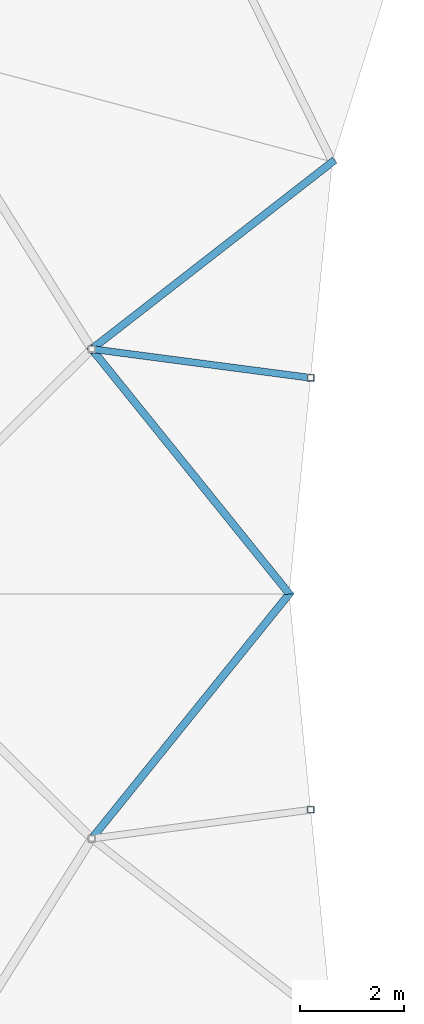
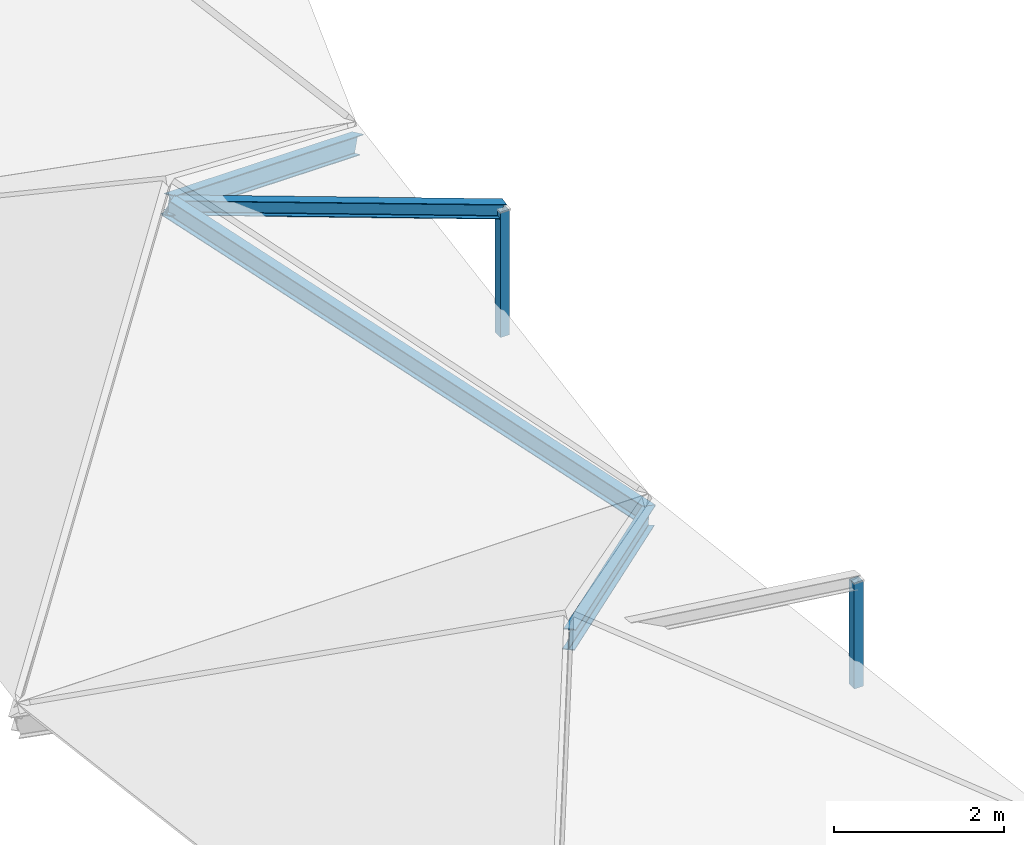
# One storey, part 13 of 66: 6 members.
"""IFC4 building model written with IfcOpenShell, lengths in metres."""

from ifc_helpers import new_model, si_unit, direction, frame, origin, origin_2d, place, context, subcontext, project, spatial, hollow_rectangle, i_section, extrude, material, material_profile, profile_set, type_object, element, save


model = new_model("IFC4")

# Units and contexts
model_context = context("Model", 3, precision=1e-05, world=origin(), true_north=direction((0.0, 1.0)))
body_context = subcontext(model_context, "Body", "Model", "MODEL_VIEW")
ifc_project = project(units=[si_unit("LENGTHUNIT", "METRE"), si_unit("AREAUNIT", "SQUARE_METRE"), si_unit("VOLUMEUNIT", "CUBIC_METRE"), si_unit("PLANEANGLEUNIT", "RADIAN"), si_unit("MASSUNIT", "GRAM", prefix="KILO")], contexts=[model_context])

# Site, building, storey
site_placement = place(None, origin())
site = spatial("IfcSite", under=ifc_project, at=site_placement, CompositionType="ELEMENT")
building_placement = place(site_placement, origin())
building = spatial("IfcBuilding", under=site, at=building_placement, Name="Karori Crest Natural Sciences Institute", CompositionType="ELEMENT")
storey_placement = place(building_placement, frame((0.0, 0.0, 30.10009765625)))
storey = spatial("IfcBuildingStorey", under=building, at=storey_placement, Name="L07", CompositionType="ELEMENT", Elevation=30.10009765625)

# Members
ifc_material_1 = material(Name="Structural steel AS/NZS 3679.1 Grade 350", Category="steel")
ifc_material_profile_1 = material_profile(ifc_material_1, i_section(OverallWidth=0.14599609375, OverallDepth=0.256103515625, WebThickness=0.00634765625, FlangeThickness=0.010986328125, FilletRadius=0.009033203125, at=origin_2d()), Name="250UB37.3")
ifc_profile_set_1 = profile_set([ifc_material_profile_1], Name="Structural steel AS/NZS 3679.1 Grade 350")
member_type_1 = type_object("IfcMemberType", Name="MT-07", PredefinedType="RAFTER", material=ifc_profile_set_1)
member_1_placement = place(storey_placement, frame((42.831298828125, 58.23388671875, -0.260009765625), z_axis=(-0.706644347217, -0.549558590936, 0.445689490201), x_axis=(0.613903250579, -0.789381276018, 0.0)))
element("IfcMember", 1, at=member_1_placement, inside=storey, type_object=member_type_1, Name="Member M-0110", PredefinedType="RAFTER", context=body_context, shape_type="SweptSolid", body=[
    extrude(i_section(OverallWidth=0.14599609375, OverallDepth=0.256103515625, WebThickness=0.00634765625, FlangeThickness=0.010986328125, FilletRadius=0.009033203125, at=origin_2d()), origin(), (0.0, 0.0, 1.0), 6.569580078125),
])
member_2_placement = place(storey_placement, frame((42.0, 49.89990234375, -0.260009765625), z_axis=(-0.565546579467, 0.700973428541, 0.434503531553), x_axis=(-0.778279867467, -0.627917548644, 0.0)))
element("IfcMember", 2, at=member_2_placement, inside=storey, type_object=member_type_1, Name="Member M-0111", PredefinedType="RAFTER", context=body_context, shape_type="SweptSolid", body=[
    extrude(i_section(OverallWidth=0.14599609375, OverallDepth=0.256103515625, WebThickness=0.00634765625, FlangeThickness=0.010986328125, FilletRadius=0.009033203125, at=origin_2d()), origin(), (0.0, 0.0, 1.0), 6.73876953125),
])
member_3_placement = place(storey_placement, frame((42.0, 49.89990234375, -0.260009765625), z_axis=(-0.583643700013, -0.723366730567, 0.368918154262), x_axis=(0.778264006658, -0.627937207005, 0.0)))
element("IfcMember", 3, at=member_3_placement, inside=storey, type_object=member_type_1, Name="Member M-0117", PredefinedType="RAFTER", context=body_context, shape_type="SweptSolid", body=[
    extrude(i_section(OverallWidth=0.14599609375, OverallDepth=0.256103515625, WebThickness=0.00634765625, FlangeThickness=0.010986328125, FilletRadius=0.009033203125, at=origin_2d()), origin(), (0.0, 0.0, 1.0), 6.52978515625),
])
ifc_material_profile_2 = material_profile(ifc_material_1, i_section(OverallWidth=0.133056640625, OverallDepth=0.202880859375, WebThickness=0.005859375, FlangeThickness=0.0078125, FilletRadius=0.009033203125, at=origin_2d()), Name="200UB25.4")
ifc_profile_set_2 = profile_set([ifc_material_profile_2], Name="Structural steel AS/NZS 3679.1 Grade 350")
member_type_2 = type_object("IfcMemberType", Name="MT-09", PredefinedType="PURLIN", material=ifc_profile_set_2)
member_4_placement = place(storey_placement, frame((42.415771484375, 54.06689453125, 1.468994140625), z_axis=(-0.954414943556, 0.125689717051, 0.27072903528), x_axis=(-0.130565612512, -0.991439670797, 0.0)))
element("IfcMember", 4, at=member_4_placement, inside=storey, type_object=member_type_2, Name="Member M-0112", PredefinedType="PURLIN", context=body_context, shape_type="SweptSolid", body=[
    extrude(i_section(OverallWidth=0.133056640625, OverallDepth=0.202880859375, WebThickness=0.005859375, FlangeThickness=0.0078125, FilletRadius=0.009033203125, at=origin_2d()), origin(), (0.0, 0.0, 1.0), 4.4287109375),
])
ifc_material_2 = material(Name="Hollow structural steel AS/NZS 1163 Grade C350", Category="steel")
ifc_material_profile_3 = material_profile(ifc_material_2, hollow_rectangle(XDim=0.125, YDim=0.125, WallThickness=0.006103515625, at=origin_2d()), Name="SHS125x125x6")
ifc_profile_set_3 = profile_set([ifc_material_profile_3], Name="Hollow structural steel AS/NZS 1163 Grade C350")
member_type_3 = type_object("IfcMemberType", Name="MT-20", PredefinedType="STRUT", material=ifc_profile_set_3)
member_5_placement = place(storey_placement, frame((42.415771484375, 54.06689453125, -0.322998046875), z_axis=(0.0, 0.0, 1.0), x_axis=(1.0, 0.0, 0.0)))
element("IfcMember", 5, at=member_5_placement, inside=storey, type_object=member_type_3, Name="Member M-0107", PredefinedType="STRUT", context=body_context, shape_type="SweptSolid", body=[
    extrude(hollow_rectangle(XDim=0.125, YDim=0.125, WallThickness=0.006103515625, at=origin_2d()), origin(), (0.0, 0.0, 1.0), 1.7919921875),
])
member_6_placement = place(storey_placement, frame((42.415771484375, 45.73291015625, -0.322998046875), z_axis=(0.0, 0.0, 1.0), x_axis=(1.0, 0.0, 0.0)))
element("IfcMember", 6, at=member_6_placement, inside=storey, type_object=member_type_3, Name="Member M-0114", PredefinedType="STRUT", context=body_context, shape_type="SweptSolid", body=[
    extrude(hollow_rectangle(XDim=0.125, YDim=0.125, WallThickness=0.006103515625, at=origin_2d()), origin(), (0.0, 0.0, 1.0), 1.5087890625),
])

save(model, "model.ifc")
